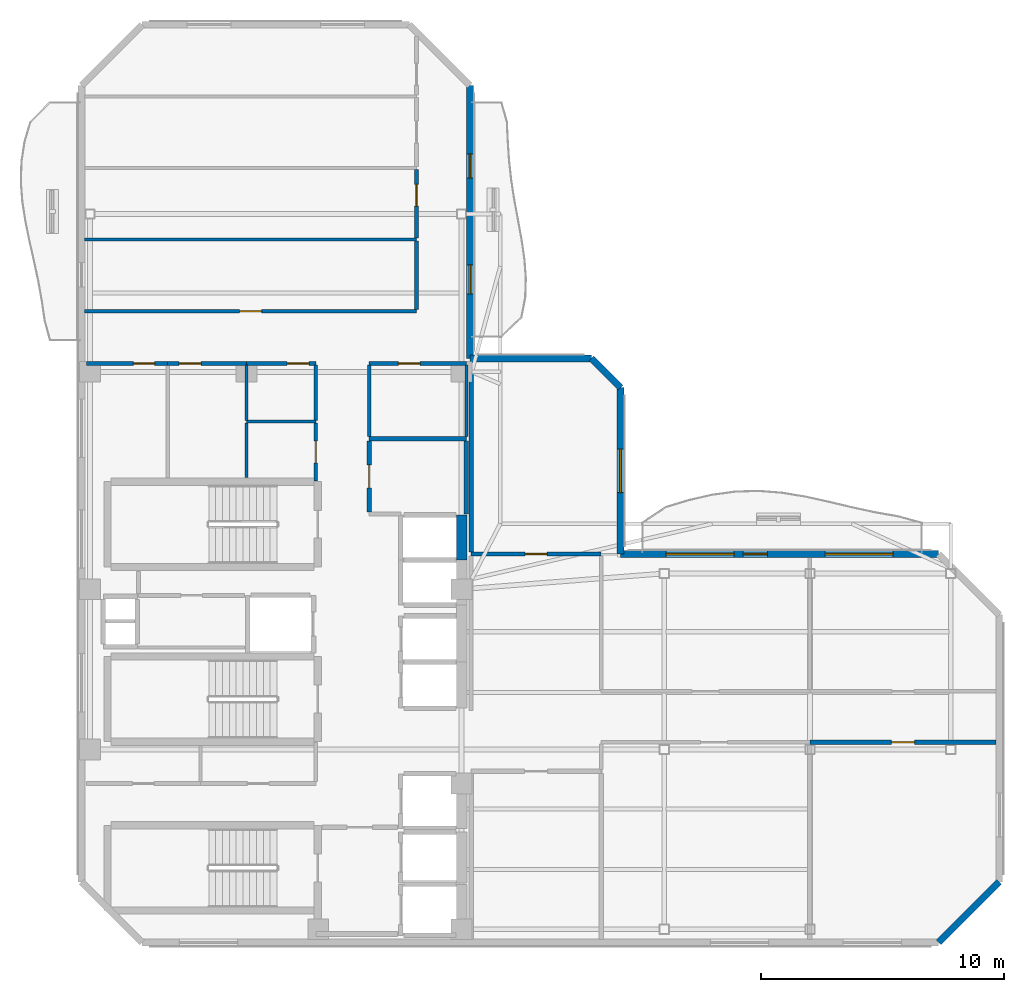
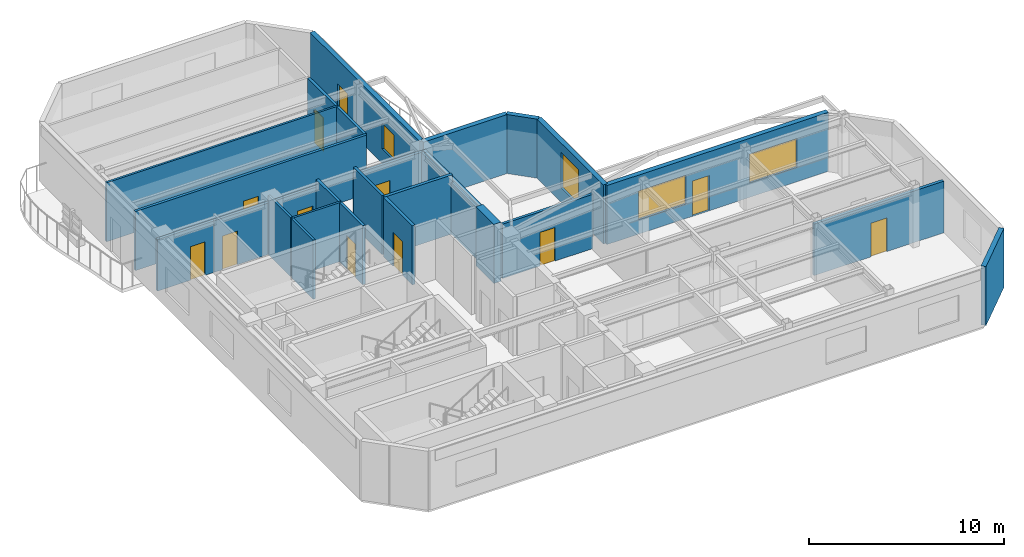
# One storey, part 4 of 8: 28 walls, 12 doors, 4 windows, 16 openings.
"""IFC4 building model written with IfcOpenShell, lengths in metres."""

from ifc_helpers import new_model, si_unit, direction, frame, frame_2d, origin, place, context, subcontext, project, spatial, rectangle, extrude, material, layer, layer_set, type_object, element, fill, save


model = new_model("IFC4")

# Units and contexts
model_context = context("Model", 3, precision=1e-05, world=origin(), true_north=direction((0.0, 1.0)))
body_context = subcontext(model_context, "Body", "Model", "MODEL_VIEW")
ifc_project = project(units=[si_unit("LENGTHUNIT", "METRE"), si_unit("AREAUNIT", "SQUARE_METRE"), si_unit("VOLUMEUNIT", "CUBIC_METRE"), si_unit("PLANEANGLEUNIT", "RADIAN"), si_unit("MASSUNIT", "GRAM", prefix="KILO")], contexts=[model_context])

# Site, building, storey
site_placement = place(None, origin())
site = spatial("IfcSite", under=ifc_project, at=site_placement, CompositionType="ELEMENT")
building_placement = place(site_placement, origin())
building = spatial("IfcBuilding", under=site, at=building_placement, Name="Mawjaban Terraces University", CompositionType="ELEMENT")
storey_placement = place(building_placement, frame((0.0, 0.0, 263.800048828125)))
storey = spatial("IfcBuildingStorey", under=building, at=storey_placement, Name="L64", CompositionType="ELEMENT", Elevation=263.800048828125)

# Wall
ifc_material_1 = material(Name="Acoustic masonry blockwork", Category="masonry")
ifc_layer_1 = layer(ifc_material_1, 0.179931640625)
ifc_layer_set_1 = layer_set([ifc_layer_1], Name="Acoustic masonry blockwork")
wall_type_1 = type_object("IfcWallType", Name="AcousticStudioWall_180", PredefinedType="PARTITIONING", material=ifc_layer_set_1)
wall_1_placement = place(storey_placement, frame((37.85009765625, 20.75, 0.0), z_axis=(0.0, 0.0, 1.0), x_axis=(-1.0, 0.0, 0.0)))
element("IfcWall", 1, at=wall_1_placement, inside=storey, type_object=wall_type_1, Name="L64 Graduate Research Collaboration Studio Partition 16", PredefinedType="PARTITIONING", context=body_context, shape_type="SweptSolid", body=[
    extrude(rectangle(XDim=4.0, YDim=0.179931640625, at=frame_2d((2.0, 0.0))), origin(), (0.0, 0.0, 1.0), 3.68994140625),
])

# Wall, opening, door
wall_2_placement = place(storey_placement, frame((52.0, 8.25, 0.0), z_axis=(0.0, 0.0, 1.0), x_axis=(1.0, 0.0, 0.0)))
wall_2 = element("IfcWall", 2, at=wall_2_placement, inside=storey, type_object=wall_type_1, Name="L64 Upper East Research Corridor Partition 21", PredefinedType="PARTITIONING", context=body_context, shape_type="SweptSolid", body=[
    extrude(rectangle(XDim=7.6669921875, YDim=0.179931640625, at=frame_2d((3.83349609375, 0.0))), origin(), (0.0, 0.0, 1.0), 3.220947265625),
])
opening_1_placement = place(wall_2_placement, frame((3.35888671875, 0.0, 0.0)))
opening_1 = element("IfcOpeningElement", 3, at=opening_1_placement, cuts=wall_2, Name="Opening ID-095", PredefinedType="OPENING", context=body_context, shape_type="SweptSolid", body=[
    extrude(rectangle(XDim=0.949951171875, YDim=2.10009765625, at=frame_2d((0.47509765625, 1.050048828125))), frame((0.0, 0.099853515625, 0.0), z_axis=(0.0, -1.0, 0.0), x_axis=(1.0, 0.0, 0.0)), (0.0, 0.0, 1.0), 0.199951171875),
])
ifc_material_2 = material(Name="Powder-coated steel frame and solid acoustic timber leaf", Category="steel")
door_type_1 = type_object("IfcDoorType", Name="StudioDoor_950x2100", OperationType="NOTDEFINED", PredefinedType="DOOR", material=ifc_material_2)
door_1_placement = place(opening_1_placement, origin())
door_1 = element("IfcDoor", 4, at=door_1_placement, inside=storey, type_object=door_type_1, Name="L64 Design Studio 4 Door", OperationType="SINGLE_SWING_RIGHT", OverallHeight=2.10009765625, OverallWidth=0.949951171875, PredefinedType="DOOR", context=body_context, shape_type="SweptSolid", body=[
    extrude(rectangle(XDim=0.949951171875, YDim=2.10009765625, at=frame_2d((0.47509765625, 1.050048828125))), frame((0.0, 0.02490234375, 0.0), z_axis=(0.0, -1.0, 0.0), x_axis=(1.0, 0.0, 0.0)), (0.0, 0.0, 1.0), 0.050048828125),
])
fill(opening_1, door_1)

wall_3_placement = place(storey_placement, frame((33.85009765625, 17.735107421875, 0.0), z_axis=(0.0, 0.0, 1.0), x_axis=(0.0, 1.0, 0.0)))
wall_3 = element("IfcWall", 5, at=wall_3_placement, inside=storey, type_object=wall_type_1, Name="L64 Core North Lift Lobby Partition 32", PredefinedType="PARTITIONING", context=body_context, shape_type="SweptSolid", body=[
    extrude(rectangle(XDim=2.929931640625, YDim=0.179931640625, at=frame_2d((1.46484375, 0.0))), origin(), (0.0, 0.0, 1.0), 3.68994140625),
])
opening_2_placement = place(wall_3_placement, frame((0.989990234375, 0.0, 0.0)))
opening_2 = element("IfcOpeningElement", 6, at=opening_2_placement, cuts=wall_3, Name="Opening ID-095", PredefinedType="OPENING", context=body_context, shape_type="SweptSolid", body=[
    extrude(rectangle(XDim=0.949951171875, YDim=2.10009765625, at=frame_2d((0.47509765625, 1.050048828125))), frame((0.0, 0.099853515625, 0.0), z_axis=(0.0, -1.0, 0.0), x_axis=(1.0, 0.0, 0.0)), (0.0, 0.0, 1.0), 0.199951171875),
])
door_2_placement = place(opening_2_placement, origin())
door_2 = element("IfcDoor", 7, at=door_2_placement, inside=storey, type_object=door_type_1, Name="L64 Graduate Research Collaboration Studio Door", OperationType="SINGLE_SWING_RIGHT", OverallHeight=2.10009765625, OverallWidth=0.949951171875, PredefinedType="DOOR", context=body_context, shape_type="SweptSolid", body=[
    extrude(rectangle(XDim=0.949951171875, YDim=2.10009765625, at=frame_2d((0.47509765625, 1.050048828125))), frame((0.0, 0.02490234375, 0.0), z_axis=(0.0, -1.0, 0.0), x_axis=(1.0, 0.0, 0.0)), (0.0, 0.0, 1.0), 0.050048828125),
])
fill(opening_2, door_2)

# Walls
wall_4_placement = place(storey_placement, frame((37.85009765625, 17.64990234375, 0.0), z_axis=(0.0, 0.0, 1.0), x_axis=(0.0, 1.0, 0.0)))
element("IfcWall", 8, at=wall_4_placement, inside=storey, type_object=wall_type_1, Name="L64 Graduate Research Collaboration Studio Partition 38", PredefinedType="PARTITIONING", context=body_context, shape_type="SweptSolid", body=[
    extrude(rectangle(XDim=3.01513671875, YDim=0.179931640625, at=frame_2d((1.507568359375, 0.0))), origin(), (0.0, 0.0, 1.0), 3.220947265625),
])
wall_5_placement = place(storey_placement, frame((38.050048828125, 23.91796875, 0.0), z_axis=(0.0, 0.0, 1.0), x_axis=(0.0, -1.0, 0.0)))
element("IfcWall", 9, at=wall_5_placement, inside=storey, type_object=wall_type_1, Name="L64 Terrace Collaborative Study Room Partition 42", PredefinedType="PARTITIONING", context=body_context, shape_type="SweptSolid", body=[
    extrude(rectangle(XDim=7.843017578125, YDim=0.179931640625, at=frame_2d((3.92138671875, 0.0))), origin(), (0.0, 0.0, 1.0), 3.220947265625),
])
ifc_material_3 = material(Name="Concrete C50/60", Category="concrete")
ifc_layer_2 = layer(ifc_material_3, 0.419921875)
ifc_layer_set_2 = layer_set([ifc_layer_2], Name="Concrete C50/60")
wall_type_2 = type_object("IfcWallType", Name="CoreShearWall_420", PredefinedType="SHEAR", material=ifc_layer_set_2)
wall_6_placement = place(storey_placement, frame((37.659912109375, 15.75, 0.0), z_axis=(0.0, 0.0, 1.0), x_axis=(0.0, 1.0, 0.0)))
element("IfcWall", 10, at=wall_6_placement, inside=storey, type_object=wall_type_2, Name="L64 Lift OL-2 Hoistway Wall East", PredefinedType="SHEAR", context=body_context, shape_type="SweptSolid", body=[
    extrude(rectangle(XDim=1.85009765625, YDim=0.419921875, at=frame_2d((0.925048828125, 0.0))), origin(), (0.0, 0.0, 1.0), 3.68994140625),
])

# Wall, opening, door
ifc_material_4 = material(Name="Fire-rated gypsum board on steel stud", Category="steel")
ifc_layer_3 = layer(ifc_material_4, 0.159912109375)
ifc_layer_set_3 = layer_set([ifc_layer_3], Name="Fire-rated gypsum board on steel stud")
wall_type_3 = type_object("IfcWallType", Name="CorridorPartition_160", PredefinedType="PARTITIONING", material=ifc_layer_set_3)
wall_7_placement = place(storey_placement, frame((25.550048828125, 23.85009765625, 0.0), z_axis=(0.0, 0.0, 1.0), x_axis=(-1.0, 0.0, 0.0)))
wall_7 = element("IfcWall", 11, at=wall_7_placement, inside=storey, type_object=wall_type_3, Name="L64 Female Toilet Partition 3", PredefinedType="PARTITIONING", context=body_context, shape_type="SweptSolid", body=[
    extrude(rectangle(XDim=3.35009765625, YDim=0.159912109375, at=frame_2d((1.675048828125, 0.0))), origin(), (0.0, 0.0, 1.0), 3.220947265625),
])
opening_3_placement = place(wall_7_placement, frame((0.534912109375, 0.0, 0.0)))
opening_3 = element("IfcOpeningElement", 12, at=opening_3_placement, cuts=wall_7, Name="Opening ID-088", PredefinedType="OPENING", context=body_context, shape_type="SweptSolid", body=[
    extrude(rectangle(XDim=0.8798828125, YDim=2.10009765625, at=frame_2d((0.43994140625, 1.050048828125))), frame((0.0, 0.08984375, 0.0), z_axis=(0.0, -1.0, 0.0), x_axis=(1.0, 0.0, 0.0)), (0.0, 0.0, 1.0), 0.179931640625),
])
door_type_2 = type_object("IfcDoorType", Name="ToiletDoor_880x2100", OperationType="NOTDEFINED", PredefinedType="DOOR", material=ifc_material_2)
door_3_placement = place(opening_3_placement, origin())
door_3 = element("IfcDoor", 13, at=door_3_placement, inside=storey, type_object=door_type_2, Name="L64 Female Toilet Door", OperationType="SINGLE_SWING_LEFT", OverallHeight=2.10009765625, OverallWidth=0.8798828125, PredefinedType="DOOR", context=body_context, shape_type="SweptSolid", body=[
    extrude(rectangle(XDim=0.8798828125, YDim=2.10009765625, at=frame_2d((0.43994140625, 1.050048828125))), frame((0.0, 0.02490234375, 0.0), z_axis=(0.0, -1.0, 0.0), x_axis=(1.0, 0.0, 0.0)), (0.0, 0.0, 1.0), 0.050048828125),
])
fill(opening_3, door_3)

wall_8_placement = place(storey_placement, frame((28.800048828125, 23.85009765625, 0.0), z_axis=(0.0, 0.0, 1.0), x_axis=(-1.0, 0.0, 0.0)))
wall_8 = element("IfcWall", 14, at=wall_8_placement, inside=storey, type_object=wall_type_3, Name="L64 Staff Tea Pantry Partition 5", PredefinedType="PARTITIONING", context=body_context, shape_type="SweptSolid", body=[
    extrude(rectangle(XDim=3.25, YDim=0.159912109375, at=frame_2d((1.625, 0.0))), origin(), (0.0, 0.0, 1.0), 3.220947265625),
])
opening_4_placement = place(wall_8_placement, frame((1.875, 0.0, 0.0)))
opening_4 = element("IfcOpeningElement", 15, at=opening_4_placement, cuts=wall_8, Name="Opening ID-090", PredefinedType="OPENING", context=body_context, shape_type="SweptSolid", body=[
    extrude(rectangle(XDim=0.89990234375, YDim=2.10009765625, at=frame_2d((0.449951171875, 1.050048828125))), frame((0.0, 0.08984375, 0.0), z_axis=(0.0, -1.0, 0.0), x_axis=(1.0, 0.0, 0.0)), (0.0, 0.0, 1.0), 0.179931640625),
])
door_type_3 = type_object("IfcDoorType", Name="OfficeDoor_900x2100", OperationType="NOTDEFINED", PredefinedType="DOOR", material=ifc_material_2)
door_4_placement = place(opening_4_placement, origin())
door_4 = element("IfcDoor", 16, at=door_4_placement, inside=storey, type_object=door_type_3, Name="L64 Staff Tea Pantry Door", OperationType="SINGLE_SWING_RIGHT", OverallHeight=2.10009765625, OverallWidth=0.89990234375, PredefinedType="DOOR", context=body_context, shape_type="SweptSolid", body=[
    extrude(rectangle(XDim=0.89990234375, YDim=2.10009765625, at=frame_2d((0.449951171875, 1.050048828125))), frame((0.0, 0.02490234375, 0.0), z_axis=(0.0, -1.0, 0.0), x_axis=(1.0, 0.0, 0.0)), (0.0, 0.0, 1.0), 0.050048828125),
])
fill(opening_4, door_4)

wall_9_placement = place(storey_placement, frame((31.64990234375, 23.85009765625, 0.0), z_axis=(0.0, 0.0, 1.0), x_axis=(-1.0, 0.0, 0.0)))
wall_9 = element("IfcWall", 17, at=wall_9_placement, inside=storey, type_object=wall_type_3, Name="L64 Faculty Consultation Alcove Partition 9", PredefinedType="PARTITIONING", context=body_context, shape_type="SweptSolid", body=[
    extrude(rectangle(XDim=2.849853515625, YDim=0.159912109375, at=frame_2d((1.4248046875, 0.0))), origin(), (0.0, 0.0, 1.0), 3.220947265625),
])
opening_5_placement = place(wall_9_placement, frame((0.27490234375, 0.0, 0.0)))
opening_5 = element("IfcOpeningElement", 18, at=opening_5_placement, cuts=wall_9, Name="Opening ID-090", PredefinedType="OPENING", context=body_context, shape_type="SweptSolid", body=[
    extrude(rectangle(XDim=0.89990234375, YDim=2.10009765625, at=frame_2d((0.449951171875, 1.050048828125))), frame((0.0, 0.08984375, 0.0), z_axis=(0.0, -1.0, 0.0), x_axis=(1.0, 0.0, 0.0)), (0.0, 0.0, 1.0), 0.179931640625),
])
door_5_placement = place(opening_5_placement, origin())
door_5 = element("IfcDoor", 19, at=door_5_placement, inside=storey, type_object=door_type_3, Name="L64 Faculty Consultation Alcove Door", OperationType="SINGLE_SWING_LEFT", OverallHeight=2.10009765625, OverallWidth=0.89990234375, PredefinedType="DOOR", context=body_context, shape_type="SweptSolid", body=[
    extrude(rectangle(XDim=0.89990234375, YDim=2.10009765625, at=frame_2d((0.449951171875, 1.050048828125))), frame((0.0, 0.02490234375, 0.0), z_axis=(0.0, -1.0, 0.0), x_axis=(1.0, 0.0, 0.0)), (0.0, 0.0, 1.0), 0.050048828125),
])
fill(opening_5, door_5)

wall_10_placement = place(storey_placement, frame((35.800048828125, 26.0, 0.0), z_axis=(0.0, 0.0, 1.0), x_axis=(-1.0, 0.0, 0.0)))
wall_10 = element("IfcWall", 20, at=wall_10_placement, inside=storey, type_object=wall_type_3, Name="L64 North Core Cross-Corridor Partition 12", PredefinedType="PARTITIONING", context=body_context, shape_type="SweptSolid", body=[
    extrude(rectangle(XDim=13.6669921875, YDim=0.159912109375, at=frame_2d((6.83349609375, 0.0))), origin(), (0.0, 0.0, 1.0), 3.68994140625),
])
opening_6_placement = place(wall_10_placement, frame((6.383056640625, 0.0, 0.0)))
opening_6 = element("IfcOpeningElement", 21, at=opening_6_placement, cuts=wall_10, Name="Opening ID-090", PredefinedType="OPENING", context=body_context, shape_type="SweptSolid", body=[
    extrude(rectangle(XDim=0.89990234375, YDim=2.10009765625, at=frame_2d((0.449951171875, 1.050048828125))), frame((0.0, 0.08984375, 0.0), z_axis=(0.0, -1.0, 0.0), x_axis=(1.0, 0.0, 0.0)), (0.0, 0.0, 1.0), 0.179931640625),
])
door_6_placement = place(opening_6_placement, origin())
door_6 = element("IfcDoor", 22, at=door_6_placement, inside=storey, type_object=door_type_3, Name="L64 Departmental Office 6 Door", OperationType="SINGLE_SWING_RIGHT", OverallHeight=2.10009765625, OverallWidth=0.89990234375, PredefinedType="DOOR", context=body_context, shape_type="SweptSolid", body=[
    extrude(rectangle(XDim=0.89990234375, YDim=2.10009765625, at=frame_2d((0.449951171875, 1.050048828125))), frame((0.0, 0.02490234375, 0.0), z_axis=(0.0, -1.0, 0.0), x_axis=(1.0, 0.0, 0.0)), (0.0, 0.0, 1.0), 0.050048828125),
])
fill(opening_6, door_6)

wall_11_placement = place(storey_placement, frame((37.85009765625, 23.85009765625, 0.0), z_axis=(0.0, 0.0, 1.0), x_axis=(-1.0, 0.0, 0.0)))
wall_11 = element("IfcWall", 23, at=wall_11_placement, inside=storey, type_object=wall_type_3, Name="L64 Departmental Copy and Archive Room Partition 17", PredefinedType="PARTITIONING", context=body_context, shape_type="SweptSolid", body=[
    extrude(rectangle(XDim=4.0, YDim=0.159912109375, at=frame_2d((2.0, 0.0))), origin(), (0.0, 0.0, 1.0), 3.220947265625),
])
opening_7_placement = place(wall_11_placement, frame((1.89990234375, 0.0, 0.0)))
opening_7 = element("IfcOpeningElement", 24, at=opening_7_placement, cuts=wall_11, Name="Opening ID-090", PredefinedType="OPENING", context=body_context, shape_type="SweptSolid", body=[
    extrude(rectangle(XDim=0.89990234375, YDim=2.10009765625, at=frame_2d((0.449951171875, 1.050048828125))), frame((0.0, 0.08984375, 0.0), z_axis=(0.0, -1.0, 0.0), x_axis=(1.0, 0.0, 0.0)), (0.0, 0.0, 1.0), 0.179931640625),
])
door_7_placement = place(opening_7_placement, origin())
door_7 = element("IfcDoor", 25, at=door_7_placement, inside=storey, type_object=door_type_3, Name="L64 Departmental Copy and Archive Room Door", OperationType="SINGLE_SWING_LEFT", OverallHeight=2.10009765625, OverallWidth=0.89990234375, PredefinedType="DOOR", context=body_context, shape_type="SweptSolid", body=[
    extrude(rectangle(XDim=0.89990234375, YDim=2.10009765625, at=frame_2d((0.449951171875, 1.050048828125))), frame((0.0, 0.02490234375, 0.0), z_axis=(0.0, -1.0, 0.0), x_axis=(1.0, 0.0, 0.0)), (0.0, 0.0, 1.0), 0.050048828125),
])
fill(opening_7, door_7)

wall_12_placement = place(storey_placement, frame((43.39990234375, 16.0, 0.0), z_axis=(0.0, 0.0, 1.0), x_axis=(-1.0, 0.0, 0.0)))
wall_12 = element("IfcWall", 26, at=wall_12_placement, inside=storey, type_object=wall_type_3, Name="L64 Upper Research Hub Concourse Partition 20", PredefinedType="PARTITIONING", context=body_context, shape_type="SweptSolid", body=[
    extrude(rectangle(XDim=5.349853515625, YDim=0.159912109375, at=frame_2d((2.6748046875, 0.0))), origin(), (0.0, 0.0, 1.0), 3.389892578125),
])
opening_8_placement = place(wall_12_placement, frame((2.22509765625, 0.0, 0.0)))
opening_8 = element("IfcOpeningElement", 27, at=opening_8_placement, cuts=wall_12, Name="Opening ID-090", PredefinedType="OPENING", context=body_context, shape_type="SweptSolid", body=[
    extrude(rectangle(XDim=0.89990234375, YDim=2.10009765625, at=frame_2d((0.449951171875, 1.050048828125))), frame((0.0, 0.08984375, 0.0), z_axis=(0.0, -1.0, 0.0), x_axis=(1.0, 0.0, 0.0)), (0.0, 0.0, 1.0), 0.179931640625),
])
door_8_placement = place(opening_8_placement, origin())
door_8 = element("IfcDoor", 28, at=door_8_placement, inside=storey, type_object=door_type_3, Name="L64 Terrace Collaborative Study Room Door", OperationType="SINGLE_SWING_RIGHT", OverallHeight=2.10009765625, OverallWidth=0.89990234375, PredefinedType="DOOR", context=body_context, shape_type="SweptSolid", body=[
    extrude(rectangle(XDim=0.89990234375, YDim=2.10009765625, at=frame_2d((0.449951171875, 1.050048828125))), frame((0.0, 0.02490234375, 0.0), z_axis=(0.0, -1.0, 0.0), x_axis=(1.0, 0.0, 0.0)), (0.0, 0.0, 1.0), 0.050048828125),
])
fill(opening_8, door_8)

wall_13_placement = place(storey_placement, frame((31.64990234375, 19.010009765625, 0.0), z_axis=(0.0, 0.0, 1.0), x_axis=(0.0, 1.0, 0.0)))
wall_13 = element("IfcWall", 29, at=wall_13_placement, inside=storey, type_object=wall_type_3, Name="L64 Faculty Academic Resource Office Partition 30", PredefinedType="PARTITIONING", context=body_context, shape_type="SweptSolid", body=[
    extrude(rectangle(XDim=2.382080078125, YDim=0.159912109375, at=frame_2d((1.19091796875, 0.0))), origin(), (0.0, 0.0, 1.0), 3.68994140625),
])
opening_9_placement = place(wall_13_placement, frame((0.740966796875, 0.0, 0.0)))
opening_9 = element("IfcOpeningElement", 30, at=opening_9_placement, cuts=wall_13, Name="Opening ID-090", PredefinedType="OPENING", context=body_context, shape_type="SweptSolid", body=[
    extrude(rectangle(XDim=0.89990234375, YDim=2.10009765625, at=frame_2d((0.449951171875, 1.050048828125))), frame((0.0, 0.08984375, 0.0), z_axis=(0.0, -1.0, 0.0), x_axis=(1.0, 0.0, 0.0)), (0.0, 0.0, 1.0), 0.179931640625),
])
door_9_placement = place(opening_9_placement, origin())
door_9 = element("IfcDoor", 31, at=door_9_placement, inside=storey, type_object=door_type_3, Name="L64 Faculty Academic Resource Office Door", OperationType="SINGLE_SWING_RIGHT", OverallHeight=2.10009765625, OverallWidth=0.89990234375, PredefinedType="DOOR", context=body_context, shape_type="SweptSolid", body=[
    extrude(rectangle(XDim=0.89990234375, YDim=2.10009765625, at=frame_2d((0.449951171875, 1.050048828125))), frame((0.0, 0.02490234375, 0.0), z_axis=(0.0, -1.0, 0.0), x_axis=(1.0, 0.0, 0.0)), (0.0, 0.0, 1.0), 0.050048828125),
])
fill(opening_9, door_9)

# Walls
wall_14_placement = place(storey_placement, frame((31.64990234375, 23.77490234375, 0.0), z_axis=(0.0, 0.0, 1.0), x_axis=(0.0, -1.0, 0.0)))
element("IfcWall", 32, at=wall_14_placement, inside=storey, type_object=wall_type_3, Name="L64 Core North Lift Lobby Partition 31", PredefinedType="PARTITIONING", context=body_context, shape_type="SweptSolid", body=[
    extrude(rectangle(XDim=2.266845703125, YDim=0.159912109375, at=frame_2d((1.13330078125, 0.0))), origin(), (0.0, 0.0, 1.0), 3.68994140625),
])
wall_15_placement = place(storey_placement, frame((33.85009765625, 20.8349609375, 0.0), z_axis=(0.0, 0.0, 1.0), x_axis=(0.0, 1.0, 0.0)))
element("IfcWall", 33, at=wall_15_placement, inside=storey, type_object=wall_type_3, Name="L64 Core North Lift Lobby Partition 33", PredefinedType="PARTITIONING", context=body_context, shape_type="SweptSolid", body=[
    extrude(rectangle(XDim=2.93994140625, YDim=0.159912109375, at=frame_2d((1.469970703125, 0.0))), origin(), (0.0, 0.0, 1.0), 3.68994140625),
])
wall_16_placement = place(storey_placement, frame((35.800048828125, 28.89208984375, 0.0), z_axis=(0.0, 0.0, 1.0), x_axis=(0.0, -1.0, 0.0)))
element("IfcWall", 34, at=wall_16_placement, inside=storey, type_object=wall_type_3, Name="L64 Upper North Research Gallery Partition 34", PredefinedType="PARTITIONING", context=body_context, shape_type="SweptSolid", body=[
    extrude(rectangle(XDim=2.817138671875, YDim=0.159912109375, at=frame_2d((1.40869140625, 0.0))), origin(), (0.0, 0.0, 1.0), 3.68994140625),
])

# Wall, opening, door
wall_17_placement = place(storey_placement, frame((35.800048828125, 31.842041015625, 0.0), z_axis=(0.0, 0.0, 1.0), x_axis=(0.0, -1.0, 0.0)))
wall_17 = element("IfcWall", 35, at=wall_17_placement, inside=storey, type_object=wall_type_3, Name="L64 Upper North Research Gallery Partition 35", PredefinedType="PARTITIONING", context=body_context, shape_type="SweptSolid", body=[
    extrude(rectangle(XDim=2.833984375, YDim=0.159912109375, at=frame_2d((1.4169921875, 0.0))), origin(), (0.0, 0.0, 1.0), 3.68994140625),
])
opening_10_placement = place(wall_17_placement, frame((0.616943359375, 0.0, 0.0)))
opening_10 = element("IfcOpeningElement", 36, at=opening_10_placement, cuts=wall_17, Name="Opening ID-090", PredefinedType="OPENING", context=body_context, shape_type="SweptSolid", body=[
    extrude(rectangle(XDim=0.89990234375, YDim=2.10009765625, at=frame_2d((0.449951171875, 1.050048828125))), frame((0.0, 0.08984375, 0.0), z_axis=(0.0, -1.0, 0.0), x_axis=(1.0, 0.0, 0.0)), (0.0, 0.0, 1.0), 0.179931640625),
])
door_10_placement = place(opening_10_placement, origin())
door_10 = element("IfcDoor", 37, at=door_10_placement, inside=storey, type_object=door_type_3, Name="L64 Academic Workspace 7 Door", OperationType="SINGLE_SWING_LEFT", OverallHeight=2.10009765625, OverallWidth=0.89990234375, PredefinedType="DOOR", context=body_context, shape_type="SweptSolid", body=[
    extrude(rectangle(XDim=0.89990234375, YDim=2.10009765625, at=frame_2d((0.449951171875, 1.050048828125))), frame((0.0, 0.02490234375, 0.0), z_axis=(0.0, -1.0, 0.0), x_axis=(1.0, 0.0, 0.0)), (0.0, 0.0, 1.0), 0.050048828125),
])
fill(opening_10, door_10)

# Wall
ifc_material_5 = material(Name="Insulated terracotta rainscreen on concrete backup C40/50", Category="masonry")
ifc_layer_4 = layer(ifc_material_5, 0.27490234375)
ifc_layer_set_4 = layer_set([ifc_layer_4], Name="Insulated terracotta rainscreen on concrete backup C40/50")
wall_type_4 = type_object("IfcWallType", Name="ExtTerracottaWall_275", PredefinedType="SOLIDWALL", material=ifc_layer_set_4)
wall_18_placement = place(storey_placement, frame((57.300048828125, 0.0, 0.0), z_axis=(0.0, 0.0, 1.0), x_axis=(0.707106781187, 0.707106781187, 0.0)))
element("IfcWall", 38, at=wall_18_placement, inside=storey, type_object=wall_type_4, Name="L64 Exterior Terracotta Wall 2", PredefinedType="SOLIDWALL", context=body_context, shape_type="SweptSolid", body=[
    extrude(rectangle(XDim=3.53564453125, YDim=0.27490234375, at=frame_2d((1.767822265625, 0.0))), origin(), (0.0, 0.0, 1.0), 3.68994140625),
])

# Wall, openings, door, windows
wall_19_placement = place(storey_placement, frame((57.300048828125, 16.0, 0.0), z_axis=(0.0, 0.0, 1.0), x_axis=(-1.0, 0.0, 0.0)))
wall_19 = element("IfcWall", 39, at=wall_19_placement, inside=storey, type_object=wall_type_4, Name="L64 Exterior Terracotta Wall 5", PredefinedType="SOLIDWALL", context=body_context, shape_type="SweptSolid", body=[
    extrude(rectangle(XDim=13.10009765625, YDim=0.27490234375, at=frame_2d((6.550048828125, 0.0))), origin(), (0.0, 0.0, 1.0), 3.68994140625),
])
opening_11_placement = place(wall_19_placement, frame((7.050048828125, 0.0, 0.0)))
opening_11 = element("IfcOpeningElement", 40, at=opening_11_placement, cuts=wall_19, Name="Opening BD-100", PredefinedType="OPENING", context=body_context, shape_type="SweptSolid", body=[
    extrude(rectangle(XDim=1.0, YDim=2.199951171875, at=frame_2d((0.5, 1.10009765625))), frame((0.0, 0.1474609375, 0.0), z_axis=(0.0, -1.0, 0.0), x_axis=(1.0, 0.0, 0.0)), (0.0, 0.0, 1.0), 0.294921875),
])
opening_12_placement = place(wall_19_placement, frame((1.875, 0.0, 0.89990234375)))
opening_12 = element("IfcOpeningElement", 41, at=opening_12_placement, cuts=wall_19, Name="Opening W-09", PredefinedType="OPENING", context=body_context, shape_type="SweptSolid", body=[
    extrude(rectangle(XDim=2.800048828125, YDim=1.800048828125, at=frame_2d((1.39990234375, 0.89990234375))), frame((0.0, 0.1474609375, 0.0), z_axis=(0.0, -1.0, 0.0), x_axis=(1.0, 0.0, 0.0)), (0.0, 0.0, 1.0), 0.294921875),
])
opening_13_placement = place(wall_19_placement, frame((8.425048828125, 0.0, 0.89990234375)))
opening_13 = element("IfcOpeningElement", 42, at=opening_13_placement, cuts=wall_19, Name="Opening W-09", PredefinedType="OPENING", context=body_context, shape_type="SweptSolid", body=[
    extrude(rectangle(XDim=2.800048828125, YDim=1.800048828125, at=frame_2d((1.39990234375, 0.89990234375))), frame((0.0, 0.1474609375, 0.0), z_axis=(0.0, -1.0, 0.0), x_axis=(1.0, 0.0, 0.0)), (0.0, 0.0, 1.0), 0.294921875),
])
ifc_material_6 = material(Name="Thermally broken anodised aluminium and laminated safety glass", Category="aluminium")
door_type_4 = type_object("IfcDoorType", Name="BalconyGlazedDoor_1000x2200", OperationType="NOTDEFINED", PredefinedType="DOOR", material=ifc_material_6)
door_11_placement = place(opening_11_placement, origin())
door_11 = element("IfcDoor", 43, at=door_11_placement, inside=storey, type_object=door_type_4, Name="L64 Balcony Access Door inner_north", OperationType="SINGLE_SWING_LEFT", OverallHeight=2.199951171875, OverallWidth=1.0, PredefinedType="DOOR", context=body_context, shape_type="SweptSolid", body=[
    extrude(rectangle(XDim=1.0, YDim=2.199951171875, at=frame_2d((0.5, 1.10009765625))), frame((0.0, 0.02490234375, 0.0), z_axis=(0.0, -1.0, 0.0), x_axis=(1.0, 0.0, 0.0)), (0.0, 0.0, 1.0), 0.050048828125),
])
fill(opening_11, door_11)
ifc_material_7 = material(Name="Low-E solar-control double glazing in thermally broken aluminium frame", Category="aluminium")
window_type_1 = type_object("IfcWindowType", Name="Win_2800x1800", PartitioningType="SINGLE_PANEL", PredefinedType="WINDOW", material=ifc_material_7)
window_1_placement = place(opening_12_placement, origin())
window_1 = element("IfcWindow", 44, at=window_1_placement, inside=storey, type_object=window_type_1, Name="L64 Facade Window 5.1", OverallHeight=1.800048828125, OverallWidth=2.800048828125, PartitioningType="SINGLE_PANEL", PredefinedType="WINDOW", context=body_context, shape_type="SweptSolid", body=[
    extrude(rectangle(XDim=2.800048828125, YDim=1.800048828125, at=frame_2d((1.39990234375, 0.89990234375))), frame((0.0, 0.030029296875, 0.0), z_axis=(0.0, -1.0, 0.0), x_axis=(1.0, 0.0, 0.0)), (0.0, 0.0, 1.0), 0.06005859375),
])
fill(opening_12, window_1)
window_2_placement = place(opening_13_placement, origin())
window_2 = element("IfcWindow", 45, at=window_2_placement, inside=storey, type_object=window_type_1, Name="L64 Facade Window 5.2", OverallHeight=1.800048828125, OverallWidth=2.800048828125, PartitioningType="SINGLE_PANEL", PredefinedType="WINDOW", context=body_context, shape_type="SweptSolid", body=[
    extrude(rectangle(XDim=2.800048828125, YDim=1.800048828125, at=frame_2d((1.39990234375, 0.89990234375))), frame((0.0, 0.030029296875, 0.0), z_axis=(0.0, -1.0, 0.0), x_axis=(1.0, 0.0, 0.0)), (0.0, 0.0, 1.0), 0.06005859375),
])
fill(opening_13, window_2)

# Wall, opening, window
wall_20_placement = place(storey_placement, frame((44.199951171875, 16.0, 0.0), z_axis=(0.0, 0.0, 1.0), x_axis=(0.0, 1.0, 0.0)))
wall_20 = element("IfcWall", 46, at=wall_20_placement, inside=storey, type_object=wall_type_4, Name="L64 Exterior Terracotta Wall 6", PredefinedType="SOLIDWALL", context=body_context, shape_type="SweptSolid", body=[
    extrude(rectangle(XDim=6.85009765625, YDim=0.27490234375, at=frame_2d((3.425048828125, 0.0))), origin(), (0.0, 0.0, 1.0), 3.68994140625),
])
opening_14_placement = place(wall_20_placement, frame((2.52490234375, 0.0, 0.89990234375)))
opening_14 = element("IfcOpeningElement", 47, at=opening_14_placement, cuts=wall_20, Name="Opening W-10", PredefinedType="OPENING", context=body_context, shape_type="SweptSolid", body=[
    extrude(rectangle(XDim=1.800048828125, YDim=2.199951171875, at=frame_2d((0.89990234375, 1.10009765625))), frame((0.0, 0.1474609375, 0.0), z_axis=(0.0, -1.0, 0.0), x_axis=(1.0, 0.0, 0.0)), (0.0, 0.0, 1.0), 0.294921875),
])
window_type_2 = type_object("IfcWindowType", Name="Win_1800x2200", PartitioningType="SINGLE_PANEL", PredefinedType="WINDOW", material=ifc_material_7)
window_3_placement = place(opening_14_placement, origin())
window_3 = element("IfcWindow", 48, at=window_3_placement, inside=storey, type_object=window_type_2, Name="L64 Facade Window 6.1", OverallHeight=2.199951171875, OverallWidth=1.800048828125, PartitioningType="SINGLE_PANEL", PredefinedType="WINDOW", context=body_context, shape_type="SweptSolid", body=[
    extrude(rectangle(XDim=1.800048828125, YDim=2.199951171875, at=frame_2d((0.89990234375, 1.10009765625))), frame((0.0, 0.030029296875, 0.0), z_axis=(0.0, -1.0, 0.0), x_axis=(1.0, 0.0, 0.0)), (0.0, 0.0, 1.0), 0.06005859375),
])
fill(opening_14, window_3)

# Walls
wall_21_placement = place(storey_placement, frame((44.199951171875, 22.85009765625, 0.0), z_axis=(0.0, 0.0, 1.0), x_axis=(-0.707106781187, 0.707106781187, 0.0)))
element("IfcWall", 49, at=wall_21_placement, inside=storey, type_object=wall_type_4, Name="L64 Exterior Terracotta Wall 7", PredefinedType="SOLIDWALL", context=body_context, shape_type="SweptSolid", body=[
    extrude(rectangle(XDim=1.697021484375, YDim=0.27490234375, at=frame_2d((0.8486328125, 0.0))), origin(), (0.0, 0.0, 1.0), 3.68994140625),
])
wall_22_placement = place(storey_placement, frame((43.0, 24.050048828125, 0.0), z_axis=(0.0, 0.0, 1.0), x_axis=(-1.0, 0.0, 0.0)))
element("IfcWall", 50, at=wall_22_placement, inside=storey, type_object=wall_type_4, Name="L64 Exterior Terracotta Wall 8", PredefinedType="SOLIDWALL", context=body_context, shape_type="SweptSolid", body=[
    extrude(rectangle(XDim=5.0, YDim=0.27490234375, at=frame_2d((2.5, 0.0))), origin(), (0.0, 0.0, 1.0), 3.68994140625),
])

# Wall, openings, door, window
wall_23_placement = place(storey_placement, frame((38.0, 24.050048828125, 0.0), z_axis=(0.0, 0.0, 1.0), x_axis=(0.0, 1.0, 0.0)))
wall_23 = element("IfcWall", 51, at=wall_23_placement, inside=storey, type_object=wall_type_4, Name="L64 Exterior Terracotta Wall 9", PredefinedType="SOLIDWALL", context=body_context, shape_type="SweptSolid", body=[
    extrude(rectangle(XDim=11.25, YDim=0.27490234375, at=frame_2d((5.625, 0.0))), origin(), (0.0, 0.0, 1.0), 3.68994140625),
])
opening_15_placement = place(wall_23_placement, frame((7.425048828125, 0.0, 0.0)))
opening_15 = element("IfcOpeningElement", 52, at=opening_15_placement, cuts=wall_23, Name="Opening BD-100", PredefinedType="OPENING", context=body_context, shape_type="SweptSolid", body=[
    extrude(rectangle(XDim=1.0, YDim=2.199951171875, at=frame_2d((0.5, 1.10009765625))), frame((0.0, 0.1474609375, 0.0), z_axis=(0.0, -1.0, 0.0), x_axis=(1.0, 0.0, 0.0)), (0.0, 0.0, 1.0), 0.294921875),
])
opening_16_placement = place(wall_23_placement, frame((2.662109375, 0.0, 0.89990234375)))
opening_16 = element("IfcOpeningElement", 53, at=opening_16_placement, cuts=wall_23, Name="Opening W-01", PredefinedType="OPENING", context=body_context, shape_type="SweptSolid", body=[
    extrude(rectangle(XDim=1.199951171875, YDim=1.60009765625, at=frame_2d((0.60009765625, 0.800048828125))), frame((0.0, 0.1474609375, 0.0), z_axis=(0.0, -1.0, 0.0), x_axis=(1.0, 0.0, 0.0)), (0.0, 0.0, 1.0), 0.294921875),
])
door_12_placement = place(opening_15_placement, origin())
door_12 = element("IfcDoor", 54, at=door_12_placement, inside=storey, type_object=door_type_4, Name="L64 Balcony Access Door inner_east", OperationType="SINGLE_SWING_LEFT", OverallHeight=2.199951171875, OverallWidth=1.0, PredefinedType="DOOR", context=body_context, shape_type="SweptSolid", body=[
    extrude(rectangle(XDim=1.0, YDim=2.199951171875, at=frame_2d((0.5, 1.10009765625))), frame((0.0, 0.02490234375, 0.0), z_axis=(0.0, -1.0, 0.0), x_axis=(1.0, 0.0, 0.0)), (0.0, 0.0, 1.0), 0.050048828125),
])
fill(opening_15, door_12)
window_type_3 = type_object("IfcWindowType", Name="Win_1200x1600", PartitioningType="SINGLE_PANEL", PredefinedType="WINDOW", material=ifc_material_7)
window_4_placement = place(opening_16_placement, origin())
window_4 = element("IfcWindow", 55, at=window_4_placement, inside=storey, type_object=window_type_3, Name="L64 Facade Window 9.1", OverallHeight=1.60009765625, OverallWidth=1.199951171875, PartitioningType="SINGLE_PANEL", PredefinedType="WINDOW", context=body_context, shape_type="SweptSolid", body=[
    extrude(rectangle(XDim=1.199951171875, YDim=1.60009765625, at=frame_2d((0.60009765625, 0.800048828125))), frame((0.0, 0.030029296875, 0.0), z_axis=(0.0, -1.0, 0.0), x_axis=(1.0, 0.0, 0.0)), (0.0, 0.0, 1.0), 0.06005859375),
])
fill(opening_16, window_4)

# Walls
ifc_material_8 = material(Name="Gypsum plasterboard on steel stud", Category="steel")
ifc_layer_5 = layer(ifc_material_8, 0.125)
ifc_layer_set_5 = layer_set([ifc_layer_5], Name="Gypsum plasterboard on steel stud")
wall_type_5 = type_object("IfcWallType", Name="OfficePartition_125", PredefinedType="PARTITIONING", material=ifc_layer_set_5)
wall_24_placement = place(storey_placement, frame((31.64990234375, 21.449951171875, 0.0), z_axis=(0.0, 0.0, 1.0), x_axis=(-1.0, 0.0, 0.0)))
element("IfcWall", 56, at=wall_24_placement, inside=storey, type_object=wall_type_5, Name="L64 Faculty Academic Resource Office Partition 8", PredefinedType="PARTITIONING", context=body_context, shape_type="SweptSolid", body=[
    extrude(rectangle(XDim=2.849853515625, YDim=0.125, at=frame_2d((1.4248046875, 0.0))), origin(), (0.0, 0.0, 1.0), 3.68994140625),
])
wall_25_placement = place(storey_placement, frame((35.800048828125, 28.949951171875, 0.0), z_axis=(0.0, 0.0, 1.0), x_axis=(-1.0, 0.0, 0.0)))
element("IfcWall", 57, at=wall_25_placement, inside=storey, type_object=wall_type_5, Name="L64 Departmental Office 6 Partition 13", PredefinedType="PARTITIONING", context=body_context, shape_type="SweptSolid", body=[
    extrude(rectangle(XDim=13.6669921875, YDim=0.125, at=frame_2d((6.83349609375, 0.0))), origin(), (0.0, 0.0, 1.0), 3.68994140625),
])
wall_26_placement = place(storey_placement, frame((28.800048828125, 21.39208984375, 0.0), z_axis=(0.0, 0.0, 1.0), x_axis=(0.0, -1.0, 0.0)))
element("IfcWall", 58, at=wall_26_placement, inside=storey, type_object=wall_type_5, Name="L64 Faculty Academic Resource Office Partition 27", PredefinedType="PARTITIONING", context=body_context, shape_type="SweptSolid", body=[
    extrude(rectangle(XDim=2.232177734375, YDim=0.125, at=frame_2d((1.1162109375, 0.0))), origin(), (0.0, 0.0, 1.0), 3.68994140625),
])
wall_27_placement = place(storey_placement, frame((28.800048828125, 23.77490234375, 0.0), z_axis=(0.0, 0.0, 1.0), x_axis=(0.0, -1.0, 0.0)))
element("IfcWall", 59, at=wall_27_placement, inside=storey, type_object=wall_type_5, Name="L64 Faculty Consultation Alcove Partition 28", PredefinedType="PARTITIONING", context=body_context, shape_type="SweptSolid", body=[
    extrude(rectangle(XDim=2.266845703125, YDim=0.125, at=frame_2d((1.13330078125, 0.0))), origin(), (0.0, 0.0, 1.0), 3.68994140625),
])
wall_28_placement = place(storey_placement, frame((37.85009765625, 20.8349609375, 0.0), z_axis=(0.0, 0.0, 1.0), x_axis=(0.0, 1.0, 0.0)))
element("IfcWall", 60, at=wall_28_placement, inside=storey, type_object=wall_type_5, Name="L64 Departmental Copy and Archive Room Partition 39", PredefinedType="PARTITIONING", context=body_context, shape_type="SweptSolid", body=[
    extrude(rectangle(XDim=2.93994140625, YDim=0.125, at=frame_2d((1.469970703125, 0.0))), origin(), (0.0, 0.0, 1.0), 3.220947265625),
])

save(model, "model.ifc")
